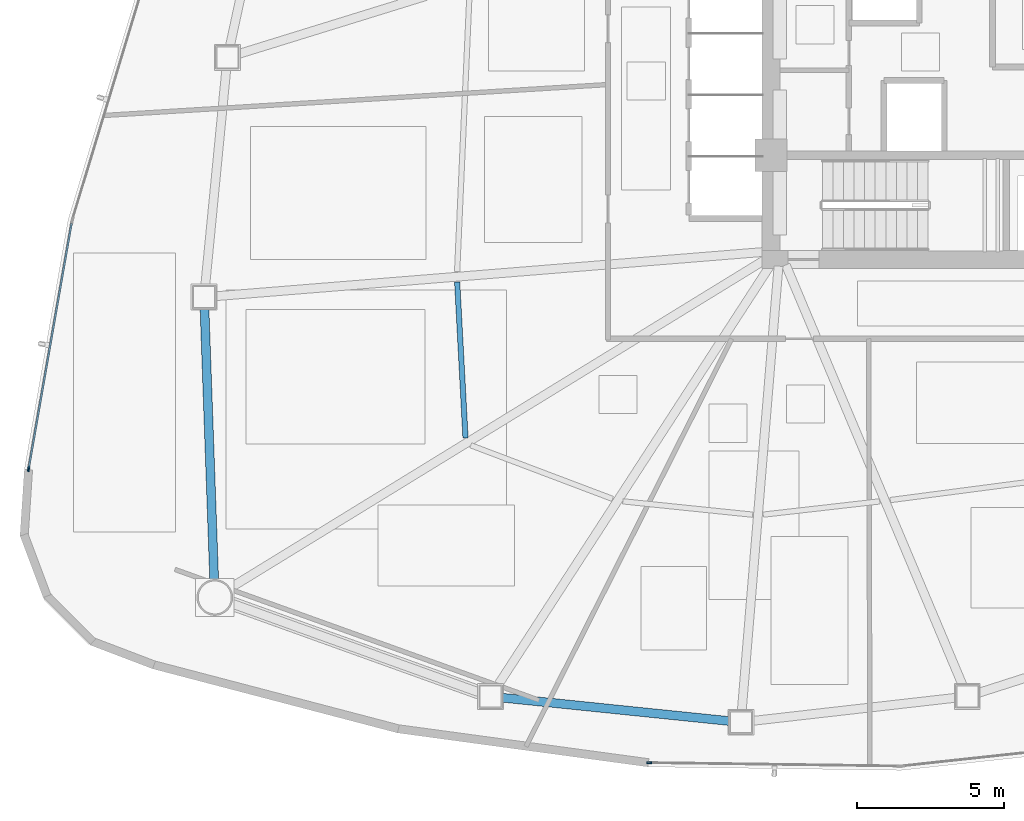
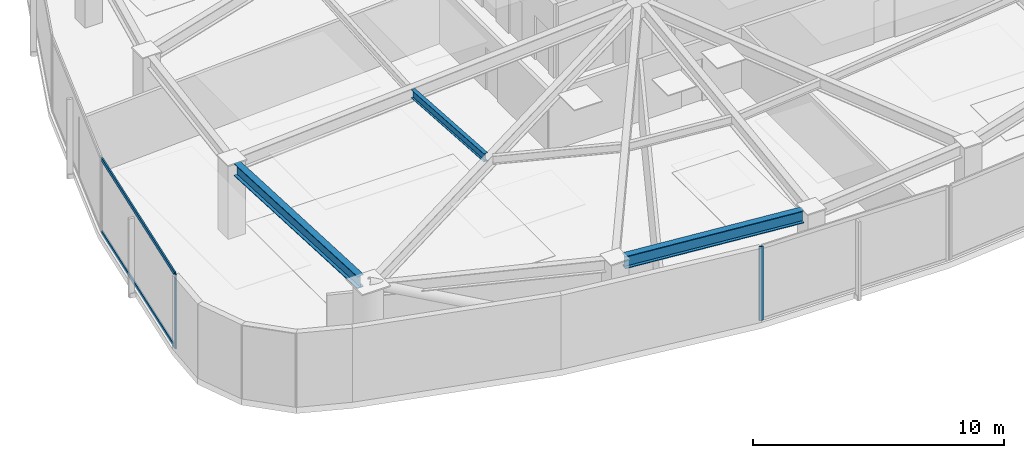
# One storey, part 2 of 16: 4 members, 3 beams, 2 elements without a shape of their own.
"""IFC4 building model written with IfcOpenShell, lengths in metres."""

from ifc_helpers import new_model, si_unit, direction, frame, origin, origin_2d, place, context, subcontext, project, spatial, hollow_rectangle, i_section, extrude, source, transform, mapped, material, layer, layer_set, material_profile, profile_set, type_object, type_shapes, element, aggregate, save


model = new_model("IFC4")

# Units and contexts
model_context = context("Model", 3, precision=1e-05, world=origin(), true_north=direction((0.0, 1.0)))
body_context = subcontext(model_context, "Body", "Model", "MODEL_VIEW")
ifc_project = project(units=[si_unit("LENGTHUNIT", "METRE"), si_unit("AREAUNIT", "SQUARE_METRE"), si_unit("VOLUMEUNIT", "CUBIC_METRE"), si_unit("PLANEANGLEUNIT", "RADIAN"), si_unit("MASSUNIT", "GRAM", prefix="KILO")], contexts=[model_context])

# Site, building, storey
site_placement = place(None, origin())
site = spatial("IfcSite", under=ifc_project, at=site_placement, CompositionType="ELEMENT")
building_placement = place(site_placement, origin())
building = spatial("IfcBuilding", under=site, at=building_placement, Name="Tavelor Broadcast Tower", CompositionType="ELEMENT")
storey_placement = place(building_placement, frame((0.0, 0.0, 35.39990234375)))
storey = spatial("IfcBuildingStorey", under=building, at=storey_placement, Name="L07", CompositionType="ELEMENT", Elevation=35.39990234375)

# Beams
ifc_material_1 = material(Name="Steel S355", Category="steel")
ifc_material_profile_1 = material_profile(ifc_material_1, i_section(OverallWidth=0.179931640625, OverallDepth=0.39990234375, WebThickness=0.008544921875, FlangeThickness=0.013427734375, at=origin_2d()), Name="IPE 400")
ifc_profile_set_1 = profile_set([ifc_material_profile_1], Name="Steel S355")
beam_type_1 = type_object("IfcBeamType", Name="Composite Floor Joist T1 IPE 400", PredefinedType="JOIST", material=ifc_profile_set_1)
beam_1_placement = place(storey_placement, frame((32.413330078125, 37.73095703125, 3.400146484375), z_axis=(0.053261912521, -0.998580576956, 0.0), x_axis=(0.998580576956, 0.053261912521, 0.0)))
element("IfcBeam", 1, at=beam_1_placement, inside=storey, type_object=beam_type_1, Name="L07 Secondary Composite Floor Joist 06", PredefinedType="JOIST", context=body_context, shape_type="SweptSolid", body=[
    extrude(i_section(OverallWidth=0.179931640625, OverallDepth=0.39990234375, WebThickness=0.008544921875, FlangeThickness=0.013427734375, at=origin_2d()), origin(), (0.0, 0.0, 1.0), 5.32177734375),
])
ifc_material_profile_2 = material_profile(ifc_material_1, i_section(OverallWidth=0.300048828125, OverallDepth=0.60009765625, WebThickness=0.015380859375, FlangeThickness=0.030029296875, at=origin_2d()), Name="HEB 600")
ifc_profile_set_2 = profile_set([ifc_material_profile_2], Name="Steel S355")
beam_type_2 = type_object("IfcBeamType", Name="Perimeter Spandrel Beam T1 HEB 600", PredefinedType="SPANDREL", material=ifc_profile_set_2)
beam_2_placement = place(storey_placement, frame((23.808349609375, 36.83251953125, 3.300048828125), z_axis=(0.035604109309, -0.999365972705, 0.0), x_axis=(0.999365972705, 0.035604109309, 0.0)))
element("IfcBeam", 2, at=beam_2_placement, inside=storey, type_object=beam_type_2, Name="L07 Framed-Tube Ring Spandrel 06", PredefinedType="SPANDREL", context=body_context, shape_type="SweptSolid", body=[
    extrude(i_section(OverallWidth=0.300048828125, OverallDepth=0.60009765625, WebThickness=0.015380859375, FlangeThickness=0.030029296875, at=origin_2d()), origin(), (0.0, 0.0, 1.0), 9.263916015625),
])
beam_3_placement = place(storey_placement, frame((33.932861328125, 23.576416015625, 3.300048828125), z_axis=(0.994769619219, -0.102144038879, 0.0), x_axis=(0.102144038879, 0.994769619219, 0.0)))
element("IfcBeam", 3, at=beam_3_placement, inside=storey, type_object=beam_type_2, Name="L07 Framed-Tube Ring Spandrel 08", PredefinedType="SPANDREL", context=body_context, shape_type="SweptSolid", body=[
    extrude(i_section(OverallWidth=0.300048828125, OverallDepth=0.60009765625, WebThickness=0.015380859375, FlangeThickness=0.030029296875, at=origin_2d()), origin(), (0.0, 0.0, 1.0), 7.799072265625),
])

# Curtain wall, member
ifc_material_2 = material(Name="Architectural Anodized Aluminium", Category="aluminium")
ifc_layer = layer(ifc_material_2, 0.179931640625)
ifc_layer_set = layer_set([ifc_layer], Name="Architectural Anodized Aluminium")
curtain_wall_type = type_object("IfcCurtainWallType", Name="Tower Low-Zone Unitised Curtain Wall CW02", PredefinedType="NOTDEFINED", material=ifc_layer_set)
curtain_wall_1_placement = place(storey_placement, origin())
curtain_wall_1 = element("IfcCurtainWall", 4, at=curtain_wall_1_placement, inside=storey, type_object=curtain_wall_type, Name="L07 Curtain Wall CW02 Run 40", PredefinedType="NOTDEFINED")
ifc_material_profile_3 = material_profile(ifc_material_2, hollow_rectangle(XDim=0.06494140625, YDim=0.179931640625, WallThickness=0.02197265625, at=origin_2d()), Name="RHS 65x180x22")
ifc_profile_set_3 = profile_set([ifc_material_profile_3], Name="Architectural Anodized Aluminium")
member_type_1 = type_object("IfcMemberType", Name="CW02 Extruded Aluminium Mullion 65x180", PredefinedType="MULLION", material=ifc_profile_set_3)
shared_shape_1 = source(origin(), body_context, "Body", "SweptSolid", [
    extrude(hollow_rectangle(XDim=0.06494140625, YDim=0.179931640625, WallThickness=0.02197265625, at=origin_2d()), origin(), (0.0, 0.0, 1.0), 3.60009765625),
])
type_shapes(member_type_1, [shared_shape_1])
member_1_placement = place(storey_placement, frame((17.81787109375, 31.367431640625, 0.0), z_axis=(0.0, 0.0, 1.0), x_axis=(0.985037831939, -0.172338241982, 0.0)))
member_1 = element("IfcMember", 5, at=member_1_placement, type_object=member_type_1, Name="CW02 mullion 2", PredefinedType="MULLION", context=body_context, shape_type="MappedRepresentation", body=[
    mapped(shared_shape_1, transform((0.0, 0.0, 0.0), scale=1.0)),
])

curtain_wall_2_placement = place(storey_placement, origin())
curtain_wall_2 = element("IfcCurtainWall", 6, at=curtain_wall_2_placement, inside=storey, type_object=curtain_wall_type, Name="L07 Curtain Wall CW02 Run 41", PredefinedType="NOTDEFINED")
member_2_placement = place(storey_placement, frame((38.952392578125, 21.359130859375, 0.0), z_axis=(0.0, 0.0, 1.0), x_axis=(0.013533365758, 0.999908419812, 0.0)))
member_2 = element("IfcMember", 7, at=member_2_placement, type_object=member_type_1, Name="CW02 mullion 1", PredefinedType="MULLION", context=body_context, shape_type="MappedRepresentation", body=[
    mapped(shared_shape_1, transform((0.0, 0.0, 0.0), scale=1.0)),
])
aggregate(curtain_wall_2, [member_2])

# Member
ifc_material_profile_4 = material_profile(ifc_material_2, hollow_rectangle(XDim=0.06494140625, YDim=0.179931640625, WallThickness=0.02197265625, at=origin_2d()), Name="RHS 65x180x22")
ifc_profile_set_4 = profile_set([ifc_material_profile_4], Name="Architectural Anodized Aluminium")
member_type_2 = type_object("IfcMemberType", Name="CW02 Extruded Aluminium Transom 65x180", PredefinedType="USERDEFINED", material=ifc_profile_set_4)
shared_shape_2 = source(origin(), body_context, "Body", "SweptSolid", [
    extrude(hollow_rectangle(XDim=0.06494140625, YDim=0.179931640625, WallThickness=0.02197265625, at=origin_2d()), origin(), (0.0, 0.0, 1.0), 8.457275390625),
])
type_shapes(member_type_2, [shared_shape_2])
member_3_placement = place(storey_placement, frame((19.281005859375, 39.730224609375, 0.03271484375), z_axis=(-0.17233761713, -0.98503794126, 0.0), x_axis=(0.98503794126, -0.17233761713, 0.0)))
member_3 = element("IfcMember", 8, at=member_3_placement, type_object=member_type_2, Name="CW02 transom 1.1", ObjectType="TRANSOM", PredefinedType="USERDEFINED", context=body_context, shape_type="MappedRepresentation", body=[
    mapped(shared_shape_2, transform((0.0, 0.0, 0.0), scale=1.0)),
])

member_4_placement = place(storey_placement, frame((19.281005859375, 39.730224609375, 3.567626953125), z_axis=(-0.17233761713, -0.98503794126, 0.0), x_axis=(0.98503794126, -0.17233761713, 0.0)))
member_4 = element("IfcMember", 9, at=member_4_placement, type_object=member_type_2, Name="CW02 transom 1.2", ObjectType="TRANSOM", PredefinedType="USERDEFINED", context=body_context, shape_type="MappedRepresentation", body=[
    mapped(shared_shape_2, transform((0.0, 0.0, 0.0), scale=1.0)),
])

aggregate(curtain_wall_1, [member_1, member_3, member_4])

save(model, "model.ifc")
